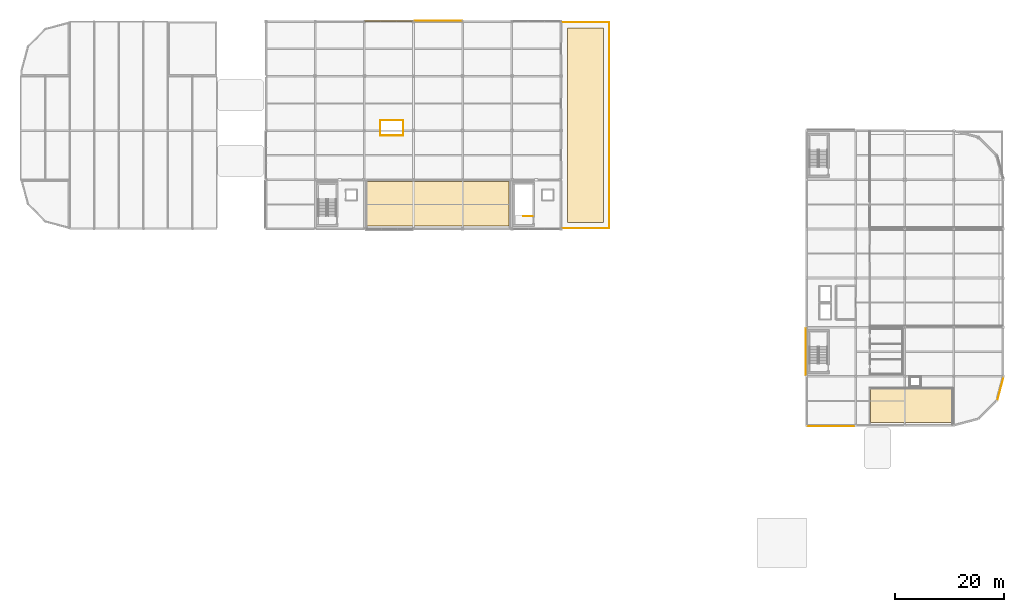
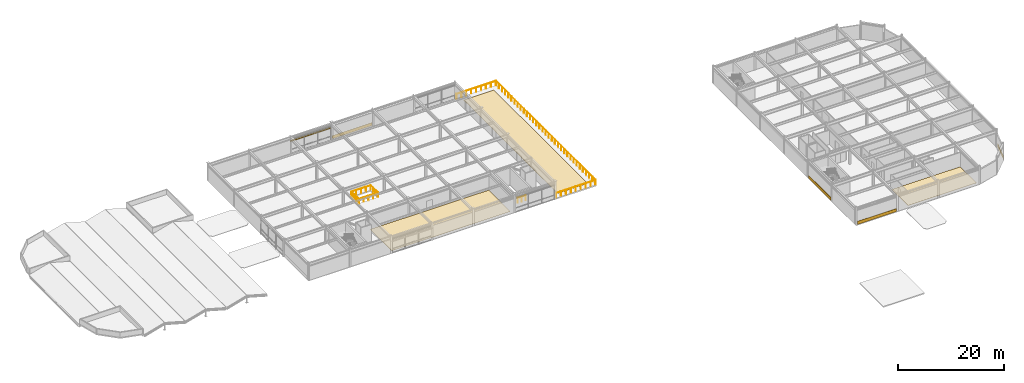
# One storey, part 36 of 40: 7 coverings, 6 railings, 1 shading device.
"""IFC4 building model written with IfcOpenShell, lengths in metres."""

from ifc_helpers import new_model, si_unit, direction, frame, origin, origin_2d, place, context, subcontext, project, spatial, polyline, rectangle, circle, outline, extrude, material, layer, layer_set, material_profile, profile_set, type_object, element, save


model = new_model("IFC4")

# Units and contexts
model_context = context("Model", 3, precision=1e-05, world=origin(), true_north=direction((0.0, 1.0)))
body_context = subcontext(model_context, "Body", "Model", "MODEL_VIEW")
ifc_project = project(units=[si_unit("LENGTHUNIT", "METRE"), si_unit("AREAUNIT", "SQUARE_METRE"), si_unit("VOLUMEUNIT", "CUBIC_METRE"), si_unit("PLANEANGLEUNIT", "RADIAN"), si_unit("MASSUNIT", "GRAM", prefix="KILO")], contexts=[model_context])

# Site, building, storey
site_placement = place(None, origin())
site = spatial("IfcSite", under=ifc_project, at=site_placement, CompositionType="ELEMENT")
building_placement = place(site_placement, origin())
building = spatial("IfcBuilding", under=site, at=building_placement, Name="Suzunagisa Mobility Hub", CompositionType="ELEMENT")
storey_placement = place(building_placement, frame((0.0, 0.0, 21.89990234375)))
storey = spatial("IfcBuildingStorey", under=building, at=storey_placement, Name="L05", CompositionType="ELEMENT", Elevation=21.89990234375)

# Railings
ifc_material_1 = material(Name="Stainless Steel SUS304", Category="metal")
railing_type_1 = type_object("IfcRailingType", Name="Interior Well Guardrail IGR-01", PredefinedType="GUARDRAIL", material=ifc_material_1)
railing_1_placement = place(storey_placement, frame((93.840087890625, 82.31005859375, 0.0)))
element("IfcRailing", 1, at=railing_1_placement, inside=storey, type_object=railing_type_1, Name="L05 ST-08 top well guard 1", PredefinedType="GUARDRAIL", context=body_context, shape_type="SweptSolid", body=[
    extrude(circle(Radius=0.02392578125, at=origin_2d()), frame((0.0, 0.0, 1.09619140625), z_axis=(-1.0, 0.0, 0.0), x_axis=(0.0, -1.0, 0.0)), (0.0, 0.0, 1.0), 1.719970703125),
    extrude(circle(Radius=0.02099609375, at=origin_2d()), origin(), (0.0, 0.0, 1.0), 1.072021484375),
    extrude(circle(Radius=0.02099609375, at=origin_2d()), frame((-0.85986328125, 0.0, 0.0)), (0.0, 0.0, 1.0), 1.072021484375),
    extrude(circle(Radius=0.02099609375, at=origin_2d()), frame((-1.719970703125, 0.0, 0.0)), (0.0, 0.0, 1.0), 1.072021484375),
])
railing_2_placement = place(storey_placement, frame((65.89990234375, 99.840087890625, 0.0)))
element("IfcRailing", 2, at=railing_2_placement, inside=storey, type_object=railing_type_1, Name="L05 Smoke-Relief Lightwell Guardrail LG-67S", PredefinedType="GUARDRAIL", context=body_context, shape_type="SweptSolid", body=[
    extrude(circle(Radius=0.02392578125, at=origin_2d()), frame((0.0, 0.0, 1.09619140625), z_axis=(0.0, -1.0, 0.0), x_axis=(1.0, 0.0, 0.0)), (0.0, 0.0, 1.0), 2.739990234375),
    extrude(circle(Radius=0.02392578125, at=origin_2d()), frame((0.0, -2.739990234375, 1.09619140625), z_axis=(1.0, 0.0, 0.0), x_axis=(0.0, 1.0, 0.0)), (0.0, 0.0, 1.0), 4.2001953125),
    extrude(circle(Radius=0.02099609375, at=origin_2d()), origin(), (0.0, 0.0, 1.0), 1.072021484375),
    extrude(circle(Radius=0.02099609375, at=origin_2d()), frame((0.0, -0.913330078125, 0.0)), (0.0, 0.0, 1.0), 1.072021484375),
    extrude(circle(Radius=0.02099609375, at=origin_2d()), frame((0.0, -1.82666015625, 0.0)), (0.0, 0.0, 1.0), 1.072021484375),
    extrude(circle(Radius=0.02099609375, at=origin_2d()), frame((0.0, -2.739990234375, 0.0)), (0.0, 0.0, 1.0), 1.072021484375),
    extrude(circle(Radius=0.02099609375, at=origin_2d()), frame((1.050048828125, -2.739990234375, 0.0)), (0.0, 0.0, 1.0), 1.072021484375),
    extrude(circle(Radius=0.02099609375, at=origin_2d()), frame((2.10009765625, -2.739990234375, 0.0)), (0.0, 0.0, 1.0), 1.072021484375),
    extrude(circle(Radius=0.02099609375, at=origin_2d()), frame((3.150146484375, -2.739990234375, 0.0)), (0.0, 0.0, 1.0), 1.072021484375),
    extrude(circle(Radius=0.02099609375, at=origin_2d()), frame((4.2001953125, -2.739990234375, 0.0)), (0.0, 0.0, 1.0), 1.072021484375),
])
railing_3_placement = place(storey_placement, frame((70.10009765625, 97.159912109375, 0.0)))
element("IfcRailing", 3, at=railing_3_placement, inside=storey, type_object=railing_type_1, Name="L05 Smoke-Relief Lightwell Guardrail LG-68N", PredefinedType="GUARDRAIL", context=body_context, shape_type="SweptSolid", body=[
    extrude(circle(Radius=0.02392578125, at=origin_2d()), frame((0.0, 0.0, 1.09619140625), z_axis=(0.0, 1.0, 0.0), x_axis=(-1.0, 0.0, 0.0)), (0.0, 0.0, 1.0), 2.739990234375),
    extrude(circle(Radius=0.02392578125, at=origin_2d()), frame((0.0, 2.739990234375, 1.09619140625), z_axis=(-1.0, 0.0, 0.0), x_axis=(0.0, -1.0, 0.0)), (0.0, 0.0, 1.0), 4.2001953125),
    extrude(circle(Radius=0.02099609375, at=origin_2d()), origin(), (0.0, 0.0, 1.0), 1.072021484375),
    extrude(circle(Radius=0.02099609375, at=origin_2d()), frame((0.0, 0.913330078125, 0.0)), (0.0, 0.0, 1.0), 1.072021484375),
    extrude(circle(Radius=0.02099609375, at=origin_2d()), frame((0.0, 1.82666015625, 0.0)), (0.0, 0.0, 1.0), 1.072021484375),
    extrude(circle(Radius=0.02099609375, at=origin_2d()), frame((0.0, 2.739990234375, 0.0)), (0.0, 0.0, 1.0), 1.072021484375),
    extrude(circle(Radius=0.02099609375, at=origin_2d()), frame((-1.050048828125, 2.739990234375, 0.0)), (0.0, 0.0, 1.0), 1.072021484375),
    extrude(circle(Radius=0.02099609375, at=origin_2d()), frame((-2.10009765625, 2.739990234375, 0.0)), (0.0, 0.0, 1.0), 1.072021484375),
    extrude(circle(Radius=0.02099609375, at=origin_2d()), frame((-3.150146484375, 2.739990234375, 0.0)), (0.0, 0.0, 1.0), 1.072021484375),
    extrude(circle(Radius=0.02099609375, at=origin_2d()), frame((-4.2001953125, 2.739990234375, 0.0)), (0.0, 0.0, 1.0), 1.072021484375),
])

# Coverings
ifc_material_2 = material(Name="Polished Aggregate Terrazzo Finish")
ifc_layer_1 = layer(ifc_material_2, 0.02001953125)
ifc_layer_set_1 = layer_set([ifc_layer_1], Name="Polished Aggregate Terrazzo Finish")
covering_type_1 = type_object("IfcCoveringType", Name="Polished Terrazzo Heavy-Traffic Flooring FLR-01", PredefinedType="FLOORING", material=ifc_layer_set_1)
covering_1_placement = place(storey_placement, origin())
element("IfcCovering", 4, at=covering_1_placement, inside=storey, type_object=covering_type_1, Name="L05 PV Inverter and Battery Buffer Switchroom L05 Terrazzo Flooring", PredefinedType="FLOORING", context=body_context, shape_type="SweptSolid", body=[
    extrude(outline(polyline([(63.52001953125, 88.679931640625), (89.47998046875, 88.679931640625), (89.47998046875, 80.52001953125), (63.52001953125, 80.52001953125), (63.52001953125, 88.679931640625)])), origin(), (0.0, 0.0, 1.0), 0.02001953125),
])
covering_2_placement = place(storey_placement, origin())
element("IfcCovering", 5, at=covering_2_placement, inside=storey, type_object=covering_type_1, Name="L05 Athletes Changing and Physiotherapy Suite L05 Terrazzo Flooring", PredefinedType="FLOORING", context=body_context, shape_type="SweptSolid", body=[
    extrude(outline(polyline([(170.679931640625, 50.679931640625), (170.679931640625, 44.52001953125), (155.719970703125, 44.52001953125), (155.719970703125, 50.679931640625), (170.679931640625, 50.679931640625)])), origin(), (0.0, 0.0, 1.0), 0.02001953125),
])
ifc_material_3 = material(Name="Vitreous Porcelain Enamel Aluminum Cladding", Category="aluminium")
ifc_layer_2 = layer(ifc_material_3, 0.034912109375)
ifc_layer_set_2 = layer_set([ifc_layer_2], Name="Vitreous Porcelain Enamel Aluminum Cladding")
covering_type_2 = type_object("IfcCoveringType", Name="Porcelain Enamel Spandrel Cladding Band CLD-01", PredefinedType="CLADDING", material=ifc_layer_set_2)
covering_3_placement = place(storey_placement, frame((76.585205078125, 118.1474609375, 0.06005859375), z_axis=(0.0, 0.0, 1.0), x_axis=(-1.0, 0.0, 0.0)))
element("IfcCovering", 6, at=covering_3_placement, inside=storey, type_object=covering_type_2, Name="L05 Porcelain Spandrel Cladding Band CLD-28", PredefinedType="CLADDING", context=body_context, shape_type="SweptSolid", body=[
    extrude(rectangle(XDim=8.720458984375, YDim=0.034912109375, at=origin_2d()), origin(), (0.0, 0.0, 1.0), 0.719970703125),
])
covering_4_placement = place(storey_placement, frame((148.5, 43.8525390625, 0.06005859375), z_axis=(0.0, 0.0, 1.0), x_axis=(1.0, 0.0, 0.0)))
element("IfcCovering", 7, at=covering_4_placement, inside=storey, type_object=covering_type_2, Name="L05 Porcelain Spandrel Cladding Band CLD-47", PredefinedType="CLADDING", context=body_context, shape_type="SweptSolid", body=[
    extrude(rectangle(XDim=8.550048828125, YDim=0.034912109375, at=origin_2d()), origin(), (0.0, 0.0, 1.0), 0.719970703125),
])
covering_5_placement = place(storey_placement, frame((179.530517578125, 50.716064453125, 0.06005859375), z_axis=(0.0, 0.0, 1.0), x_axis=(0.258806646451, 0.965929148412, 0.0)))
element("IfcCovering", 8, at=covering_5_placement, inside=storey, type_object=covering_type_2, Name="L05 Porcelain Spandrel Cladding Band CLD-48", PredefinedType="CLADDING", context=body_context, shape_type="SweptSolid", body=[
    extrude(rectangle(XDim=4.126708984375, YDim=0.034912109375, at=origin_2d()), origin(), (0.0, 0.0, 1.0), 0.719970703125),
])
covering_6_placement = place(storey_placement, frame((143.8525390625, 57.5, 0.06005859375), z_axis=(0.0, 0.0, 1.0), x_axis=(0.0, -1.0, 0.0)))
element("IfcCovering", 9, at=covering_6_placement, inside=storey, type_object=covering_type_2, Name="L05 Porcelain Spandrel Cladding Band CLD-51", PredefinedType="CLADDING", context=body_context, shape_type="SweptSolid", body=[
    extrude(rectangle(XDim=8.550048828125, YDim=0.034912109375, at=origin_2d()), origin(), (0.0, 0.0, 1.0), 0.719970703125),
])

# Shading device
ifc_material_4 = material(Name="Fluoropolymer-Coated Extruded Aluminum 6063-T5", Category="aluminium")
ifc_material_profile = material_profile(ifc_material_4, rectangle(XDim=0.280029296875, YDim=0.044921875, at=origin_2d()), Name="FIN-280x45")
ifc_profile_set = profile_set([ifc_material_profile], Name="Fluoropolymer-Coated Extruded Aluminum 6063-T5")
shading_device_type = type_object("IfcShadingDeviceType", Name="Streamline Aluminum Sunshade SF-03 FIN-280x45", PredefinedType="USERDEFINED", material=ifc_profile_set)
shading_device_placement = place(storey_placement, frame((71.794921875, 118.107421875, 2.77001953125), z_axis=(-1.0, 0.0, 0.0), x_axis=(0.0, -1.0, 0.0)))
element("IfcShadingDevice", 10, at=shading_device_placement, inside=storey, type_object=shading_device_type, Name="L05 Streamline Speed-Rail Sunshade Fin SF-29", ObjectType="SUNSHADE FIN", PredefinedType="USERDEFINED", context=body_context, shape_type="SweptSolid", body=[
    extrude(rectangle(XDim=0.280029296875, YDim=0.044921875, at=origin_2d()), origin(), (0.0, 0.0, 1.0), 8.760498046875),
])

# Railings
ifc_material_5 = material(Name="Anodized Aluminum and Stainless Steel SUS316", Category="metal")
railing_type_2 = type_object("IfcRailingType", Name="Streamline Ship-Deck Tubular Balustrade BL-01", PredefinedType="BALUSTRADE", material=ifc_material_5)
railing_4_placement = place(storey_placement, frame((99.25, 117.8798828125, 0.0)))
element("IfcRailing", 11, at=railing_4_placement, inside=storey, type_object=railing_type_2, Name="L05 Terrace Perimeter Guardrail GR-35", PredefinedType="BALUSTRADE", context=body_context, shape_type="SweptSolid", body=[
    extrude(circle(Radius=0.02392578125, at=origin_2d()), frame((0.0, 0.0, 1.11572265625), z_axis=(1.0, 0.0, 0.0), x_axis=(0.0, 1.0, 0.0)), (0.0, 0.0, 1.0), 8.6298828125),
    extrude(circle(Radius=0.02099609375, at=origin_2d()), origin(), (0.0, 0.0, 1.0), 1.091796875),
    extrude(circle(Radius=0.02099609375, at=origin_2d()), frame((1.07861328125, 0.0, 0.0)), (0.0, 0.0, 1.0), 1.091796875),
    extrude(circle(Radius=0.02099609375, at=origin_2d()), frame((2.157470703125, 0.0, 0.0)), (0.0, 0.0, 1.0), 1.091796875),
    extrude(circle(Radius=0.02099609375, at=origin_2d()), frame((3.236328125, 0.0, 0.0)), (0.0, 0.0, 1.0), 1.091796875),
    extrude(circle(Radius=0.02099609375, at=origin_2d()), frame((4.31494140625, 0.0, 0.0)), (0.0, 0.0, 1.0), 1.091796875),
    extrude(circle(Radius=0.02099609375, at=origin_2d()), frame((5.3935546875, 0.0, 0.0)), (0.0, 0.0, 1.0), 1.091796875),
    extrude(circle(Radius=0.02099609375, at=origin_2d()), frame((6.472412109375, 0.0, 0.0)), (0.0, 0.0, 1.0), 1.091796875),
    extrude(circle(Radius=0.02099609375, at=origin_2d()), frame((7.55126953125, 0.0, 0.0)), (0.0, 0.0, 1.0), 1.091796875),
    extrude(circle(Radius=0.02099609375, at=origin_2d()), frame((8.6298828125, 0.0, 0.0)), (0.0, 0.0, 1.0), 1.091796875),
])
railing_5_placement = place(storey_placement, frame((107.8798828125, 117.8798828125, 0.0)))
element("IfcRailing", 12, at=railing_5_placement, inside=storey, type_object=railing_type_2, Name="L05 Terrace Perimeter Guardrail GR-36", PredefinedType="BALUSTRADE", context=body_context, shape_type="SweptSolid", body=[
    extrude(circle(Radius=0.02392578125, at=origin_2d()), frame((0.0, 0.0, 1.11572265625), z_axis=(0.0, -1.0, 0.0), x_axis=(1.0, 0.0, 0.0)), (0.0, 0.0, 1.0), 37.759765625),
    extrude(circle(Radius=0.02099609375, at=origin_2d()), origin(), (0.0, 0.0, 1.0), 1.091796875),
    extrude(circle(Radius=0.02099609375, at=origin_2d()), frame((0.0, -1.179931640625, 0.0)), (0.0, 0.0, 1.0), 1.091796875),
    extrude(circle(Radius=0.02099609375, at=origin_2d()), frame((0.0, -2.35986328125, 0.0)), (0.0, 0.0, 1.0), 1.091796875),
    extrude(circle(Radius=0.02099609375, at=origin_2d()), frame((0.0, -3.5400390625, 0.0)), (0.0, 0.0, 1.0), 1.091796875),
    extrude(circle(Radius=0.02099609375, at=origin_2d()), frame((0.0, -4.719970703125, 0.0)), (0.0, 0.0, 1.0), 1.091796875),
    extrude(circle(Radius=0.02099609375, at=origin_2d()), frame((0.0, -5.89990234375, 0.0)), (0.0, 0.0, 1.0), 1.091796875),
    extrude(circle(Radius=0.02099609375, at=origin_2d()), frame((0.0, -7.080078125, 0.0)), (0.0, 0.0, 1.0), 1.091796875),
    extrude(circle(Radius=0.02099609375, at=origin_2d()), frame((0.0, -8.260009765625, 0.0)), (0.0, 0.0, 1.0), 1.091796875),
    extrude(circle(Radius=0.02099609375, at=origin_2d()), frame((0.0, -9.43994140625, 0.0)), (0.0, 0.0, 1.0), 1.091796875),
    extrude(circle(Radius=0.02099609375, at=origin_2d()), frame((0.0, -10.619873046875, 0.0)), (0.0, 0.0, 1.0), 1.091796875),
    extrude(circle(Radius=0.02099609375, at=origin_2d()), frame((0.0, -11.7998046875, 0.0)), (0.0, 0.0, 1.0), 1.091796875),
    extrude(circle(Radius=0.02099609375, at=origin_2d()), frame((0.0, -12.97998046875, 0.0)), (0.0, 0.0, 1.0), 1.091796875),
    extrude(circle(Radius=0.02099609375, at=origin_2d()), frame((0.0, -14.159912109375, 0.0)), (0.0, 0.0, 1.0), 1.091796875),
    extrude(circle(Radius=0.02099609375, at=origin_2d()), frame((0.0, -15.33984375, 0.0)), (0.0, 0.0, 1.0), 1.091796875),
    extrude(circle(Radius=0.02099609375, at=origin_2d()), frame((0.0, -16.52001953125, 0.0)), (0.0, 0.0, 1.0), 1.091796875),
    extrude(circle(Radius=0.02099609375, at=origin_2d()), frame((0.0, -17.699951171875, 0.0)), (0.0, 0.0, 1.0), 1.091796875),
    extrude(circle(Radius=0.02099609375, at=origin_2d()), frame((0.0, -18.8798828125, 0.0)), (0.0, 0.0, 1.0), 1.091796875),
    extrude(circle(Radius=0.02099609375, at=origin_2d()), frame((0.0, -20.059814453125, 0.0)), (0.0, 0.0, 1.0), 1.091796875),
    extrude(circle(Radius=0.02099609375, at=origin_2d()), frame((0.0, -21.23974609375, 0.0)), (0.0, 0.0, 1.0), 1.091796875),
    extrude(circle(Radius=0.02099609375, at=origin_2d()), frame((0.0, -22.419921875, 0.0)), (0.0, 0.0, 1.0), 1.091796875),
    extrude(circle(Radius=0.02099609375, at=origin_2d()), frame((0.0, -23.599853515625, 0.0)), (0.0, 0.0, 1.0), 1.091796875),
    extrude(circle(Radius=0.02099609375, at=origin_2d()), frame((0.0, -24.77978515625, 0.0)), (0.0, 0.0, 1.0), 1.091796875),
    extrude(circle(Radius=0.02099609375, at=origin_2d()), frame((0.0, -25.9599609375, 0.0)), (0.0, 0.0, 1.0), 1.091796875),
    extrude(circle(Radius=0.02099609375, at=origin_2d()), frame((0.0, -27.139892578125, 0.0)), (0.0, 0.0, 1.0), 1.091796875),
    extrude(circle(Radius=0.02099609375, at=origin_2d()), frame((0.0, -28.31982421875, 0.0)), (0.0, 0.0, 1.0), 1.091796875),
    extrude(circle(Radius=0.02099609375, at=origin_2d()), frame((0.0, -29.499755859375, 0.0)), (0.0, 0.0, 1.0), 1.091796875),
    extrude(circle(Radius=0.02099609375, at=origin_2d()), frame((0.0, -30.6796875, 0.0)), (0.0, 0.0, 1.0), 1.091796875),
    extrude(circle(Radius=0.02099609375, at=origin_2d()), frame((0.0, -31.85986328125, 0.0)), (0.0, 0.0, 1.0), 1.091796875),
    extrude(circle(Radius=0.02099609375, at=origin_2d()), frame((0.0, -33.039794921875, 0.0)), (0.0, 0.0, 1.0), 1.091796875),
    extrude(circle(Radius=0.02099609375, at=origin_2d()), frame((0.0, -34.2197265625, 0.0)), (0.0, 0.0, 1.0), 1.091796875),
    extrude(circle(Radius=0.02099609375, at=origin_2d()), frame((0.0, -35.39990234375, 0.0)), (0.0, 0.0, 1.0), 1.091796875),
    extrude(circle(Radius=0.02099609375, at=origin_2d()), frame((0.0, -36.579833984375, 0.0)), (0.0, 0.0, 1.0), 1.091796875),
    extrude(circle(Radius=0.02099609375, at=origin_2d()), frame((0.0, -37.759765625, 0.0)), (0.0, 0.0, 1.0), 1.091796875),
])
railing_6_placement = place(storey_placement, frame((107.8798828125, 80.1201171875, 0.0)))
element("IfcRailing", 13, at=railing_6_placement, inside=storey, type_object=railing_type_2, Name="L05 Terrace Perimeter Guardrail GR-37", PredefinedType="BALUSTRADE", context=body_context, shape_type="SweptSolid", body=[
    extrude(circle(Radius=0.02392578125, at=origin_2d()), frame((0.0, 0.0, 1.11572265625), z_axis=(-1.0, 0.0, 0.0), x_axis=(0.0, -1.0, 0.0)), (0.0, 0.0, 1.0), 8.6298828125),
    extrude(circle(Radius=0.02099609375, at=origin_2d()), origin(), (0.0, 0.0, 1.0), 1.091796875),
    extrude(circle(Radius=0.02099609375, at=origin_2d()), frame((-1.07861328125, 0.0, 0.0)), (0.0, 0.0, 1.0), 1.091796875),
    extrude(circle(Radius=0.02099609375, at=origin_2d()), frame((-2.157470703125, 0.0, 0.0)), (0.0, 0.0, 1.0), 1.091796875),
    extrude(circle(Radius=0.02099609375, at=origin_2d()), frame((-3.236328125, 0.0, 0.0)), (0.0, 0.0, 1.0), 1.091796875),
    extrude(circle(Radius=0.02099609375, at=origin_2d()), frame((-4.31494140625, 0.0, 0.0)), (0.0, 0.0, 1.0), 1.091796875),
    extrude(circle(Radius=0.02099609375, at=origin_2d()), frame((-5.3935546875, 0.0, 0.0)), (0.0, 0.0, 1.0), 1.091796875),
    extrude(circle(Radius=0.02099609375, at=origin_2d()), frame((-6.472412109375, 0.0, 0.0)), (0.0, 0.0, 1.0), 1.091796875),
    extrude(circle(Radius=0.02099609375, at=origin_2d()), frame((-7.55126953125, 0.0, 0.0)), (0.0, 0.0, 1.0), 1.091796875),
    extrude(circle(Radius=0.02099609375, at=origin_2d()), frame((-8.6298828125, 0.0, 0.0)), (0.0, 0.0, 1.0), 1.091796875),
])

# Covering
ifc_material_6 = material(Name="TPO Waterproof Membrane over Rigid Insulation")
ifc_layer_3 = layer(ifc_material_6, 0.044921875)
ifc_layer_set_3 = layer_set([ifc_layer_3], Name="TPO Waterproof Membrane over Rigid Insulation")
covering_type_3 = type_object("IfcCoveringType", Name="TPO Insulated Waterproof Roof Membrane RF-01", PredefinedType="ROOFING", material=ifc_layer_set_3)
covering_7_placement = place(storey_placement, origin())
element("IfcCovering", 14, at=covering_7_placement, inside=storey, type_object=covering_type_3, Name="L05 Terrace Deck Waterproofing Layer RF-58", PredefinedType="ROOFING", context=body_context, shape_type="SweptSolid", body=[
    extrude(outline(polyline([(100.199951171875, 81.199951171875), (100.199951171875, 116.800048828125), (106.800048828125, 116.800048828125), (106.800048828125, 81.199951171875), (100.199951171875, 81.199951171875)])), origin(), (0.0, 0.0, 1.0), 0.045166015625),
])

save(model, "model.ifc")
